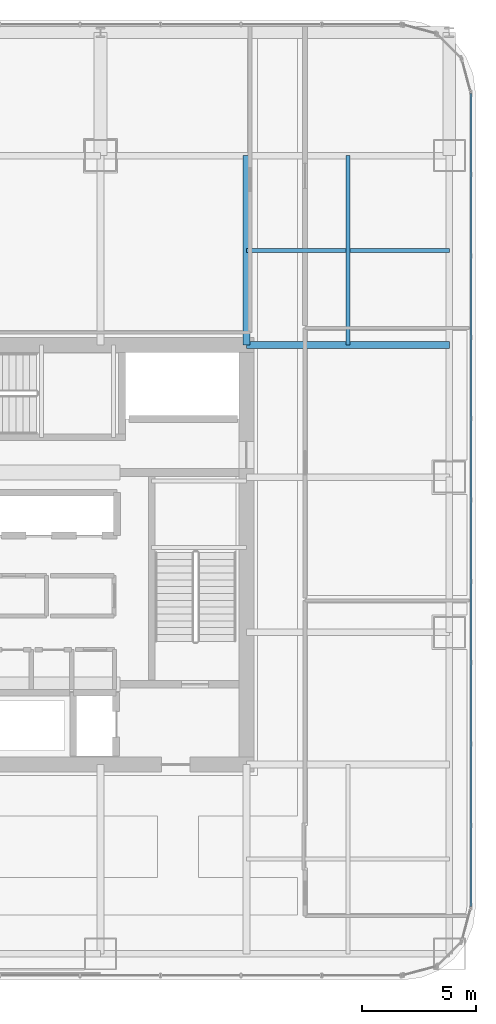
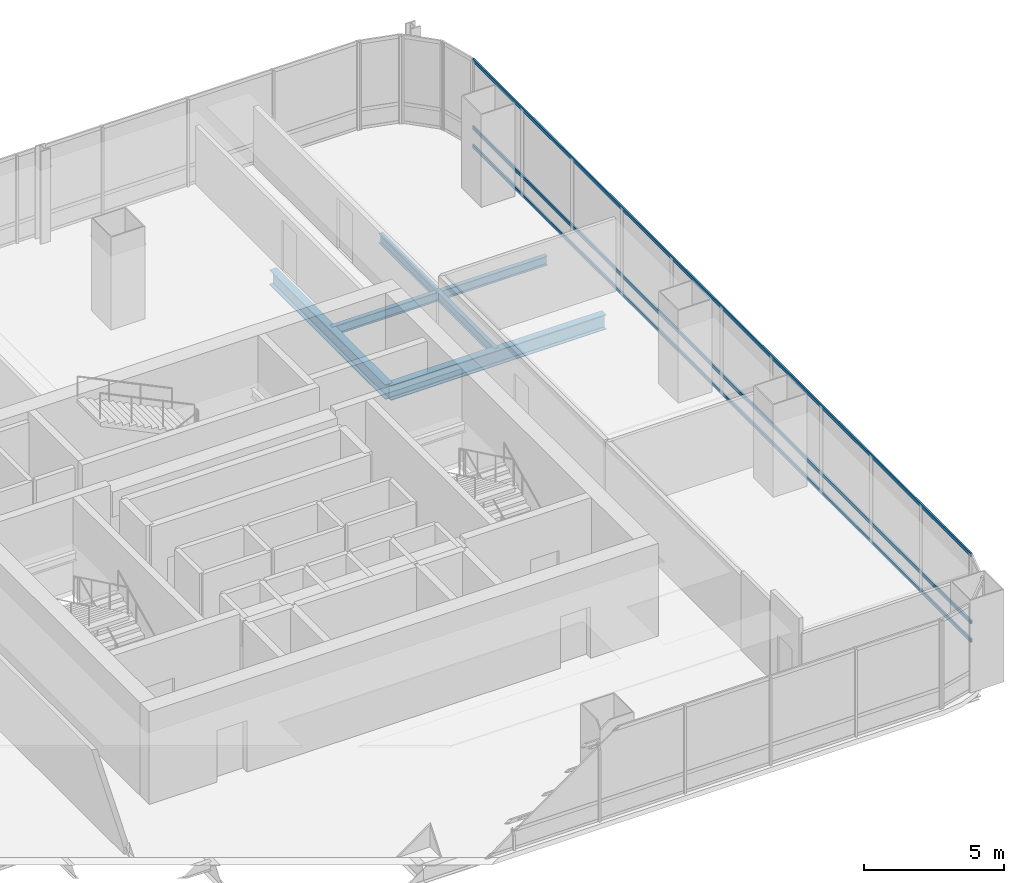
# One storey, part 17 of 38: 4 beams, 3 members, 1 element without a shape of its own.
"""IFC4 building model written with IfcOpenShell, lengths in metres."""

from ifc_helpers import new_model, si_unit, direction, frame, origin, origin_2d, place, context, subcontext, project, spatial, hollow_rectangle, i_section, extrude, material, material_profile, profile_set, type_object, element, aggregate, save


model = new_model("IFC4")

# Units and contexts
model_context = context("Model", 3, precision=1e-05, world=origin(), true_north=direction((0.0, 1.0)))
body_context = subcontext(model_context, "Body", "Model", "MODEL_VIEW")
ifc_project = project(units=[si_unit("LENGTHUNIT", "METRE"), si_unit("AREAUNIT", "SQUARE_METRE"), si_unit("VOLUMEUNIT", "CUBIC_METRE"), si_unit("PLANEANGLEUNIT", "RADIAN"), si_unit("MASSUNIT", "GRAM", prefix="KILO")], contexts=[model_context])

# Site, building, storey
site_placement = place(None, origin())
site = spatial("IfcSite", under=ifc_project, at=site_placement, CompositionType="ELEMENT")
building_placement = place(site_placement, origin())
building = spatial("IfcBuilding", under=site, at=building_placement, Name="Punatoya Terracotta Tower", CompositionType="ELEMENT")
storey_placement = place(building_placement, frame((0.0, 0.0, 143.85009765625)))
storey = spatial("IfcBuildingStorey", under=building, at=storey_placement, Name="L33", CompositionType="ELEMENT", Elevation=143.85009765625)

# Beams
ifc_material_1 = material(Name="Steel S355", Category="steel")
ifc_material_profile_1 = material_profile(ifc_material_1, i_section(OverallWidth=0.300048828125, OverallDepth=0.64990234375, WebThickness=0.01611328125, FlangeThickness=0.031005859375, FilletRadius=0.01806640625, at=origin_2d()))
ifc_profile_set_1 = profile_set([ifc_material_profile_1], Name="Steel S355")
beam_type_1 = type_object("IfcBeamType", Name="BM-PRI-650", PredefinedType="BEAM", material=ifc_profile_set_1)
beam_1_placement = place(storey_placement, frame((10.199951171875, 9.199951171875, -0.545166015625), z_axis=(1.0, 0.0, 0.0), x_axis=(0.0, 1.0, 0.0)))
element("IfcBeam", 1, at=beam_1_placement, inside=storey, type_object=beam_type_1, Name="BM-L33-PR-EN", PredefinedType="BEAM", context=body_context, shape_type="SweptSolid", body=[
    extrude(i_section(OverallWidth=0.300048828125, OverallDepth=0.64990234375, WebThickness=0.01611328125, FlangeThickness=0.031005859375, FilletRadius=0.01806640625, at=origin_2d()), origin(), (0.0, 0.0, 1.0), 8.900146484375),
])
beam_2_placement = place(storey_placement, frame((10.199951171875, 9.199951171875, -0.545166015625), z_axis=(0.0, 1.0, 0.0), x_axis=(-1.0, 0.0, 0.0)))
element("IfcBeam", 2, at=beam_2_placement, inside=storey, type_object=beam_type_1, Name="BM-L33-PR-N4", PredefinedType="BEAM", context=body_context, shape_type="SweptSolid", body=[
    extrude(i_section(OverallWidth=0.300048828125, OverallDepth=0.64990234375, WebThickness=0.01611328125, FlangeThickness=0.031005859375, FilletRadius=0.01806640625, at=origin_2d()), origin(), (0.0, 0.0, 1.0), 8.300048828125),
])
ifc_material_profile_2 = material_profile(ifc_material_1, i_section(OverallWidth=0.179931640625, OverallDepth=0.39990234375, WebThickness=0.008544921875, FlangeThickness=0.013427734375, FilletRadius=0.01806640625, at=origin_2d()))
ifc_profile_set_2 = profile_set([ifc_material_profile_2], Name="Steel S355")
beam_type_2 = type_object("IfcBeamType", Name="BM-SEC-400", PredefinedType="JOIST", material=ifc_profile_set_2)
beam_3_placement = place(storey_placement, frame((10.199951171875, 13.35009765625, -0.420166015625), z_axis=(1.0, 0.0, 0.0), x_axis=(0.0, 1.0, 0.0)))
element("IfcBeam", 3, at=beam_3_placement, inside=storey, type_object=beam_type_2, Name="BM-L33-SJN-2", PredefinedType="JOIST", context=body_context, shape_type="SweptSolid", body=[
    extrude(i_section(OverallWidth=0.179931640625, OverallDepth=0.39990234375, WebThickness=0.008544921875, FlangeThickness=0.013427734375, FilletRadius=0.01806640625, at=origin_2d()), origin(), (0.0, 0.0, 1.0), 8.900146484375),
])
beam_4_placement = place(storey_placement, frame((14.64990234375, 9.199951171875, -0.420166015625), z_axis=(0.0, 1.0, 0.0), x_axis=(-1.0, 0.0, 0.0)))
element("IfcBeam", 4, at=beam_4_placement, inside=storey, type_object=beam_type_2, Name="BM-L33-SJE-2", PredefinedType="JOIST", context=body_context, shape_type="SweptSolid", body=[
    extrude(i_section(OverallWidth=0.179931640625, OverallDepth=0.39990234375, WebThickness=0.008544921875, FlangeThickness=0.013427734375, FilletRadius=0.01806640625, at=origin_2d()), origin(), (0.0, 0.0, 1.0), 8.300048828125),
])

# Curtain wall, members
ifc_material_2 = material(Name="Aluminium 6063-T6 + Double Low-E Glass", Category="aluminium")
curtain_wall_type = type_object("IfcCurtainWallType", Name="CW-M2", PredefinedType="NOTDEFINED", material=ifc_material_2)
curtain_wall_placement = place(storey_placement, origin())
curtain_wall = element("IfcCurtainWall", 5, at=curtain_wall_placement, inside=storey, type_object=curtain_wall_type, Name="L33 Curtain Wall CW-L33-E05-1", PredefinedType="NOTDEFINED")
ifc_material_3 = material(Name="Aluminium 6063-T6", Category="aluminium")
ifc_material_profile_3 = material_profile(ifc_material_3, hollow_rectangle(XDim=0.068115234375, YDim=0.14990234375, WallThickness=0.00390625, at=origin_2d()))
ifc_profile_set_3 = profile_set([ifc_material_profile_3], Name="Aluminium 6063-T6")
member_type = type_object("IfcMemberType", Name="CW-TRN-TYP", PredefinedType="USERDEFINED", material=ifc_profile_set_3)
member_1_placement = place(storey_placement, frame((20.050048828125, -15.43701171875, 0.039794921875), z_axis=(0.0, 1.0, 0.0), x_axis=(-1.0, 0.0, 0.0)))
member_1 = element("IfcMember", 6, at=member_1_placement, type_object=member_type, Name="CW-L33-E05-1 Transom 1", ObjectType="TRANSOM", PredefinedType="USERDEFINED", context=body_context, shape_type="SweptSolid", body=[
    extrude(hollow_rectangle(XDim=0.068115234375, YDim=0.14990234375, WallThickness=0.00390625, at=origin_2d()), origin(), (0.0, 0.0, 1.0), 35.673828125),
])
member_2_placement = place(storey_placement, frame((20.050048828125, -15.43701171875, 0.849853515625), z_axis=(0.0, 1.0, 0.0), x_axis=(-1.0, 0.0, 0.0)))
member_2 = element("IfcMember", 7, at=member_2_placement, type_object=member_type, Name="CW-L33-E05-1 Transom 2", ObjectType="TRANSOM", PredefinedType="USERDEFINED", context=body_context, shape_type="SweptSolid", body=[
    extrude(hollow_rectangle(XDim=0.068115234375, YDim=0.14990234375, WallThickness=0.00390625, at=origin_2d()), origin(), (0.0, 0.0, 1.0), 35.673828125),
])
member_3_placement = place(storey_placement, frame((20.050048828125, -15.43701171875, 3.789794921875), z_axis=(0.0, 1.0, 0.0), x_axis=(-1.0, 0.0, 0.0)))
member_3 = element("IfcMember", 8, at=member_3_placement, type_object=member_type, Name="CW-L33-E05-1 Transom 3", ObjectType="TRANSOM", PredefinedType="USERDEFINED", context=body_context, shape_type="SweptSolid", body=[
    extrude(hollow_rectangle(XDim=0.068115234375, YDim=0.14990234375, WallThickness=0.00390625, at=origin_2d()), origin(), (0.0, 0.0, 1.0), 35.673828125),
])
aggregate(curtain_wall, [member_1, member_2, member_3])

save(model, "model.ifc")
